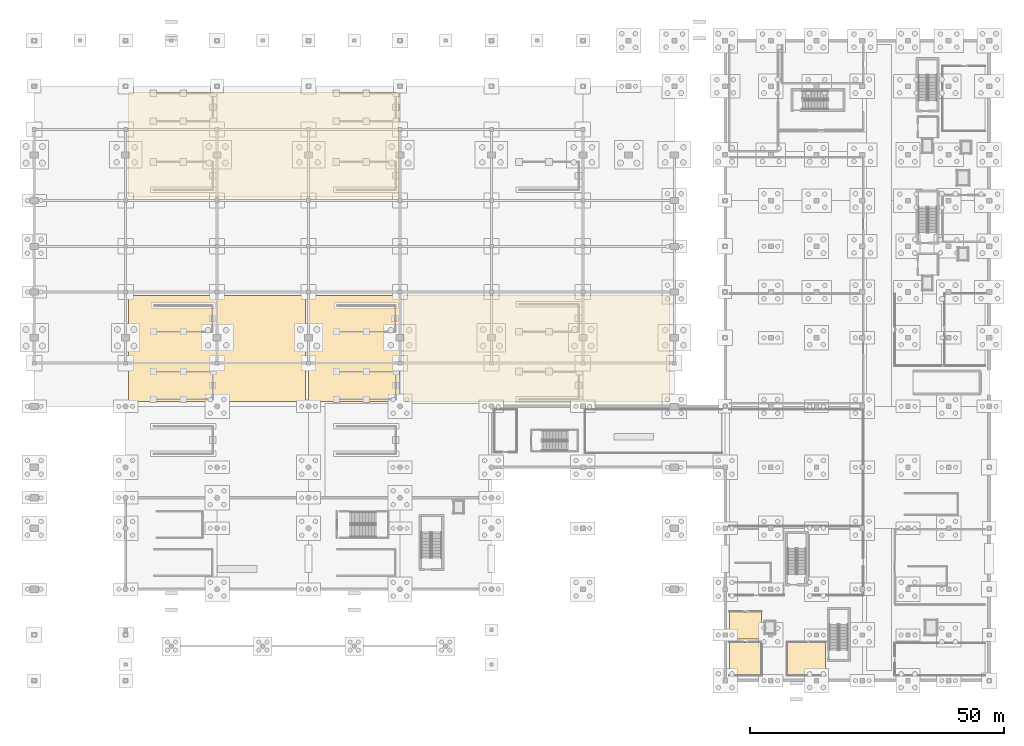
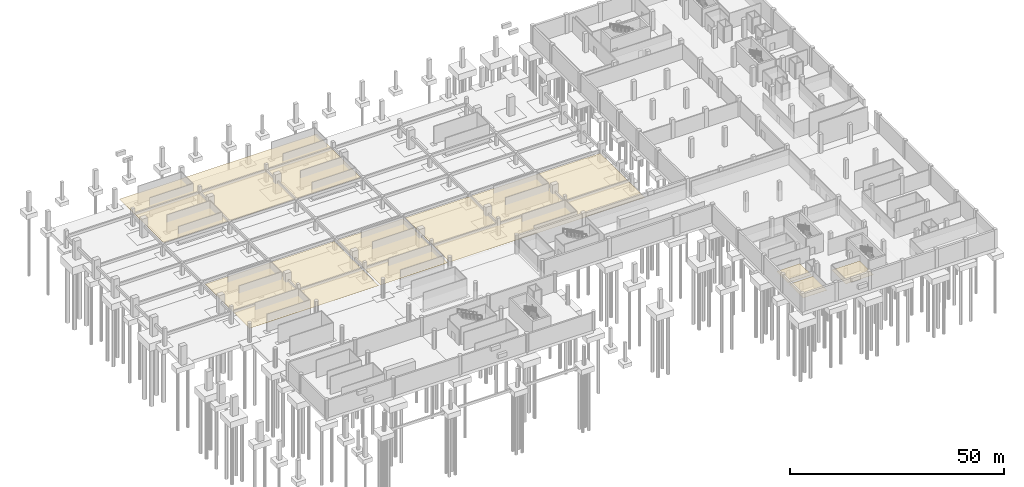
# One storey, part 21 of 26: 7 coverings.
"""IFC4 building model written with IfcOpenShell, lengths in metres."""

from ifc_helpers import new_model, si_unit, direction, frame, origin, place, context, subcontext, project, spatial, polyline, outline, extrude, material, layer, layer_set, type_object, element, save


model = new_model("IFC4")

# Units and contexts
model_context = context("Model", 3, precision=1e-05, world=origin(), true_north=direction((0.0, 1.0)))
body_context = subcontext(model_context, "Body", "Model", "MODEL_VIEW")
ifc_project = project(units=[si_unit("LENGTHUNIT", "METRE"), si_unit("AREAUNIT", "SQUARE_METRE"), si_unit("VOLUMEUNIT", "CUBIC_METRE"), si_unit("PLANEANGLEUNIT", "RADIAN"), si_unit("MASSUNIT", "GRAM", prefix="KILO")], contexts=[model_context])

# Site, building, storey
site_placement = place(None, origin())
site = spatial("IfcSite", under=ifc_project, at=site_placement, CompositionType="ELEMENT")
building_placement = place(site_placement, origin())
building = spatial("IfcBuilding", under=site, at=building_placement, Name="Chuanluo Vaults Station", CompositionType="ELEMENT")
storey_placement = place(building_placement, frame((0.0, 0.0, -5.39990234375)))
storey = spatial("IfcBuildingStorey", under=building, at=storey_placement, Name="B1", CompositionType="ELEMENT", Elevation=-5.39990234375)

# Coverings
ifc_material = material(Name="Acoustic mineral-fibre tile")
ifc_layer = layer(ifc_material, 0.02490234375)
ifc_layer_set = layer_set([ifc_layer], Name="Acoustic mineral-fibre tile")
covering_type = type_object("IfcCoveringType", Name="COV-CEIL-TILE", PredefinedType="CEILING", material=ifc_layer_set)
covering_1_placement = place(storey_placement, frame((0.0, 0.0, 2.849853515625)))
element("IfcCovering", 1, at=covering_1_placement, inside=storey, type_object=covering_type, Name="B1-16 suspended acoustic ceiling", PredefinedType="CEILING", context=body_context, shape_type="SweptSolid", body=[
    extrude(outline(polyline([(148.239990234375, 1.0400390625), (155.760009765625, 1.0400390625), (155.760009765625, 7.56005859375), (148.239990234375, 7.56005859375), (148.239990234375, 1.0400390625)])), origin(), (0.0, 0.0, 1.0), 0.025146484375),
])
covering_2_placement = place(storey_placement, frame((0.0, 0.0, 2.849853515625)))
element("IfcCovering", 2, at=covering_2_placement, inside=storey, type_object=covering_type, Name="B1-17 suspended acoustic ceiling", PredefinedType="CEILING", context=body_context, shape_type="SweptSolid", body=[
    extrude(outline(polyline([(136.840087890625, 1.0400390625), (143.159912109375, 1.0400390625), (143.159912109375, 7.56005859375), (136.840087890625, 7.56005859375), (136.840087890625, 1.0400390625)])), origin(), (0.0, 0.0, 1.0), 0.025146484375),
])
covering_3_placement = place(storey_placement, frame((0.0, 0.0, 2.849853515625)))
element("IfcCovering", 3, at=covering_3_placement, inside=storey, type_object=covering_type, Name="B1-18 suspended acoustic ceiling", PredefinedType="CEILING", context=body_context, shape_type="SweptSolid", body=[
    extrude(outline(polyline([(136.840087890625, 8.239990234375), (143.159912109375, 8.239990234375), (143.159912109375, 13.56005859375), (136.840087890625, 13.56005859375), (136.840087890625, 8.239990234375)])), origin(), (0.0, 0.0, 1.0), 0.025146484375),
])
covering_4_placement = place(storey_placement, frame((0.0, 0.0, 2.849853515625)))
element("IfcCovering", 4, at=covering_4_placement, inside=storey, type_object=covering_type, Name="B1-25 suspended acoustic ceiling", PredefinedType="CEILING", context=body_context, shape_type="SweptSolid", body=[
    extrude(outline(polyline([(18.60009765625, 55.0), (53.39990234375, 55.0), (53.39990234375, 75.800048828125), (18.60009765625, 75.800048828125), (18.60009765625, 55.0)])), origin(), (0.0, 0.0, 1.0), 0.025146484375),
])
covering_5_placement = place(storey_placement, frame((0.0, 0.0, 2.849853515625)))
element("IfcCovering", 5, at=covering_5_placement, inside=storey, type_object=covering_type, Name="B1-27 suspended acoustic ceiling", PredefinedType="CEILING", context=body_context, shape_type="SweptSolid", body=[
    extrude(outline(polyline([(72.60009765625, 55.0), (125.199951171875, 55.0), (125.199951171875, 75.800048828125), (72.60009765625, 75.800048828125), (72.60009765625, 55.0)])), origin(), (0.0, 0.0, 1.0), 0.025146484375),
])
covering_6_placement = place(storey_placement, frame((0.0, 0.0, 2.849853515625)))
element("IfcCovering", 6, at=covering_6_placement, inside=storey, type_object=covering_type, Name="B1-29 suspended acoustic ceiling", PredefinedType="CEILING", context=body_context, shape_type="SweptSolid", body=[
    extrude(outline(polyline([(54.0, 55.0), (72.0, 55.0), (72.0, 75.800048828125), (54.0, 75.800048828125), (54.0, 55.0)])), origin(), (0.0, 0.0, 1.0), 0.025146484375),
])
covering_7_placement = place(storey_placement, frame((0.0, 0.0, 2.849853515625)))
element("IfcCovering", 7, at=covering_7_placement, inside=storey, type_object=covering_type, Name="B1-30 suspended acoustic ceiling", PredefinedType="CEILING", context=body_context, shape_type="SweptSolid", body=[
    extrude(outline(polyline([(18.60009765625, 95.199951171875), (71.800048828125, 95.199951171875), (71.800048828125, 115.800048828125), (18.60009765625, 115.800048828125), (18.60009765625, 95.199951171875)])), origin(), (0.0, 0.0, 1.0), 0.025146484375),
])

save(model, "model.ifc")
